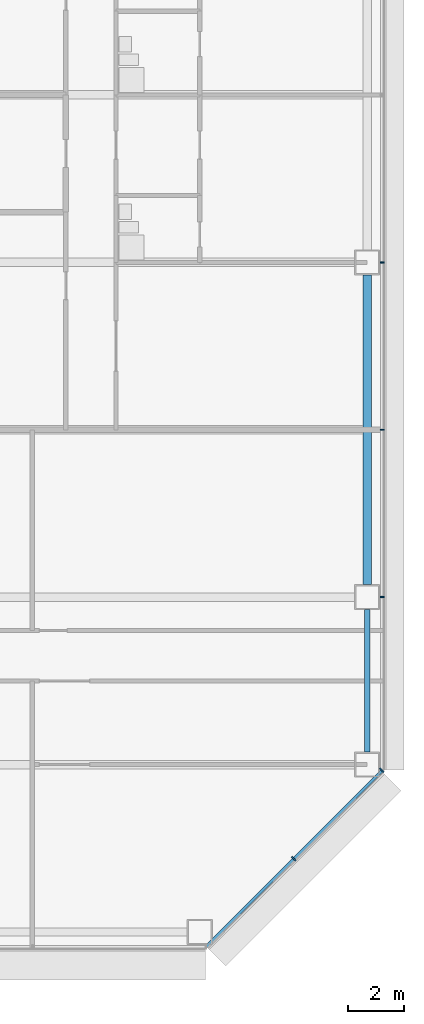
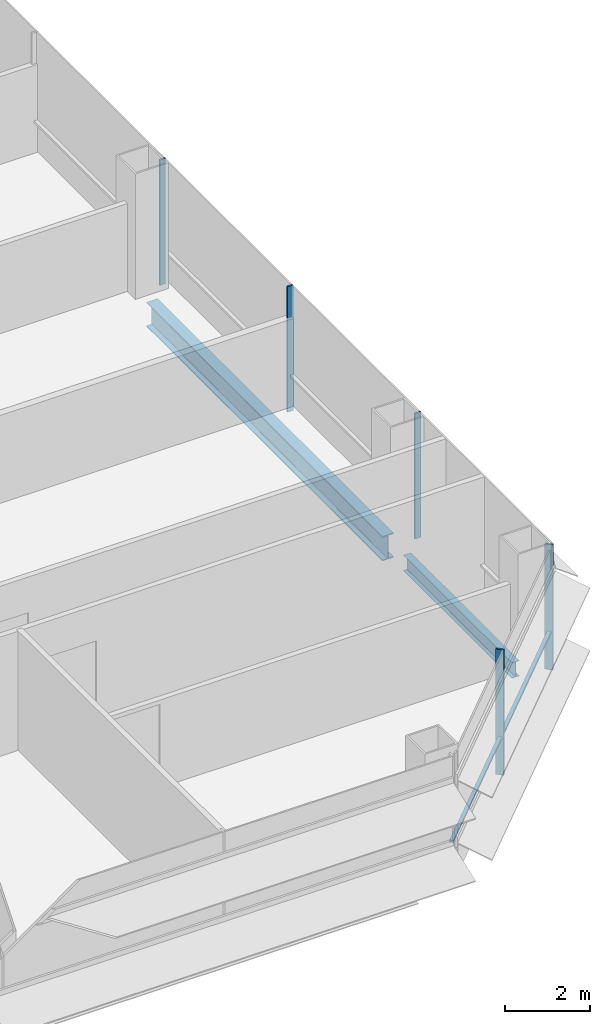
# One storey, part 16 of 26: 6 members, 2 beams, 2 elements without a shape of their own.
"""IFC4 building model written with IfcOpenShell, lengths in metres."""

import ifcopenshell
import ifcopenshell.guid

model = None  # the IFC model being written
_history = None  # IfcOwnerHistory: only IFC2X3 demands one
_inside = {}  # id of a spatial element -> (the spatial element, [elements in it])
_under = {}  # id of a project, library or spatial element -> (it, [spatial elements below it])
_declared = {}  # id of a project -> (the project, [libraries it declares])
_typed = {}  # id of a type object -> (the type object, [elements of that type])
_made_of = {}  # id of a material, layer set ... -> (it, [elements and type objects made of it])


def new_model(schema):
    """Start an empty IFC model of exactly this schema.

    Asked for "IFC4X3", IfcOpenShell would pick the latest addendum, in which some entities
    have other attributes; the version numbers below select the first issue.
    IFC2X3 requires an IfcOwnerHistory on every rooted entity: one is made here for all.
    """
    global model, _history
    if schema == "IFC4X3":
        model = ifcopenshell.file(schema_version=(4, 3, 0, 0))
    else:
        model = ifcopenshell.file(schema=schema)
    _inside.clear()
    _under.clear()
    _declared.clear()
    _typed.clear()
    _made_of.clear()
    _history = None
    if model.schema == "IFC2X3":
        org = make("IfcOrganization", Name="unknown")
        user = make(
            "IfcPersonAndOrganization",
            ThePerson=make("IfcPerson", FamilyName="unknown"),
            TheOrganization=org,
        )
        app = make(
            "IfcApplication",
            ApplicationDeveloper=org,
            Version="unknown",
            ApplicationFullName="unknown",
            ApplicationIdentifier="unknown",
        )
        _history = make(
            "IfcOwnerHistory",
            OwningUser=user,
            OwningApplication=app,
            ChangeAction="ADDED",
            CreationDate=0,
        )
    return model


def make(cls, **values):
    """One entity of the class cls with the attributes given. An attribute that is None is left unset."""
    return model.create_entity(
        cls, **{name: value for name, value in values.items() if value is not None}
    )


def rooted(cls, **values):
    """An entity with a GlobalId (a new one), such as an element, a storey or a relation."""
    return make(cls, GlobalId=ifcopenshell.guid.new(), OwnerHistory=_history, **values)


def si_unit(unit_type, name, prefix=None):
    """IfcSIUnit, for example si_unit("LENGTHUNIT", "METRE", prefix="MILLI")."""
    return make("IfcSIUnit", UnitType=unit_type, Prefix=prefix, Name=name)


def assignment(units):
    """IfcUnitAssignment: the units of a project."""
    return None if units is None else make("IfcUnitAssignment", Units=units)


def point(xyz):
    """IfcCartesianPoint."""
    return None if xyz is None else make("IfcCartesianPoint", Coordinates=xyz)


def direction(xyz):
    """IfcDirection."""
    return None if xyz is None else make("IfcDirection", DirectionRatios=xyz)


def frame(location, z_axis=None, x_axis=None):
    """IfcAxis2Placement3D, a coordinate frame: its origin and axes. An axis left out is left unset."""
    return make(
        "IfcAxis2Placement3D",
        Location=point(location),
        Axis=direction(z_axis),
        RefDirection=direction(x_axis),
    )


def frame_2d(location, x_axis=None):
    """IfcAxis2Placement2D, a coordinate frame in the plane: its origin and x axis."""
    return make(
        "IfcAxis2Placement2D", Location=point(location), RefDirection=direction(x_axis)
    )


def origin():
    """The frame at (0, 0, 0) with its axes left unset."""
    return frame((0.0, 0.0, 0.0))


def origin_2d():
    """The frame at (0, 0) in the plane with its x axis left unset."""
    return frame_2d((0.0, 0.0))


def place(relative_to, where):
    """IfcLocalPlacement: puts the frame where relative to a parent placement (None: the world)."""
    return make(
        "IfcLocalPlacement", PlacementRelTo=relative_to, RelativePlacement=where
    )


def context(
    kind, dimensions, precision=None, world=None, true_north=None, identifier=None
):
    """IfcGeometricRepresentationContext, for example the 3D "Model" context."""
    return make(
        "IfcGeometricRepresentationContext",
        ContextIdentifier=identifier,
        ContextType=kind,
        CoordinateSpaceDimension=dimensions,
        Precision=precision,
        WorldCoordinateSystem=world,
        TrueNorth=true_north,
    )


def subcontext(parent, identifier, kind, view, scale=None):
    """IfcGeometricRepresentationSubContext, for example "Body" below "Model"."""
    return make(
        "IfcGeometricRepresentationSubContext",
        ContextIdentifier=identifier,
        ContextType=kind,
        ParentContext=parent,
        TargetScale=scale,
        TargetView=view,
    )


def project(units=None, contexts=None):
    """IfcProject with its units and contexts."""
    return rooted(
        "IfcProject",
        Name="project",
        RepresentationContexts=contexts,
        UnitsInContext=assignment(units),
    )


def spatial(cls, under=None, at=None, **own):
    """A site, building, storey or space (cls), placed at a placement, below another one or the project."""
    s = rooted(cls, ObjectPlacement=at, **own)
    if under is not None:
        _under.setdefault(under.id(), (under, []))[1].append(s)
    return s


def profile(cls, at=None, kind="AREA", **sizes):
    """A parametric profile (cls). Its sizes go by their IFC names, for example OverallWidth=200.0."""
    return make(cls, ProfileType=kind, Position=at, **sizes)


def rectangle(**sizes):
    """IfcRectangleProfileDef."""
    return profile("IfcRectangleProfileDef", **sizes)


def i_section(**sizes):
    """IfcIShapeProfileDef."""
    return profile("IfcIShapeProfileDef", **sizes)


def extrude(swept, where, along, depth):
    """IfcExtrudedAreaSolid: the profile swept, set in the frame where, extruded along a direction by depth."""
    return make(
        "IfcExtrudedAreaSolid",
        SweptArea=swept,
        Position=where,
        ExtrudedDirection=direction(along),
        Depth=depth,
    )


def shape(context_of_items, identifier, shape_type, items):
    """IfcShapeRepresentation: the items that make up one representation, for example the "Body"."""
    return make(
        "IfcShapeRepresentation",
        ContextOfItems=context_of_items,
        RepresentationIdentifier=identifier,
        RepresentationType=shape_type,
        Items=items,
    )


def material(Name=None, Category=None):
    """IfcMaterial."""
    return make("IfcMaterial", Name=Name, Category=Category)


def material_profile(
    of_material, cross_section, Name=None, Category=None, Priority=None
):
    """IfcMaterialProfile: a cross section and its material."""
    return make(
        "IfcMaterialProfile",
        Name=Name,
        Material=of_material,
        Profile=cross_section,
        Priority=Priority,
        Category=Category,
    )


def profile_set(profiles, Name=None, composite=None):
    """IfcMaterialProfileSet."""
    return make(
        "IfcMaterialProfileSet",
        Name=Name,
        MaterialProfiles=profiles,
        CompositeProfile=composite,
    )


def made_of(thing, what):
    """Note that an element or type object is made of a material, layer set ...; save() writes the relation."""
    if what is not None:
        _made_of.setdefault(what.id(), (what, []))[1].append(thing)
    return thing


def type_object(cls, material=None, **own):
    """A type object (cls), such as IfcWallType, which elements share."""
    return made_of(rooted(cls, **own), material)


def element(
    cls,
    number,
    at=None,
    inside=None,
    cuts=None,
    type_object=None,
    material=None,
    context=None,
    identifier="Body",
    shape_type=None,
    held_by="IfcProductDefinitionShape",
    body=None,
    shapes=None,
    **own,
):
    """One element of the class cls, such as IfcWall. Its Tag is "e" and its number.

    at: its placement. inside: the storey or other place that contains it. cuts: it is an
    opening in that element (IfcRelVoidsElement). A single representation is given by context,
    identifier, shape_type and body (its items); several are given by shapes. held_by: the class
    of the entity that holds the representations. save() writes the other relations.
    """
    e = rooted(cls, Tag="e%d" % number, ObjectPlacement=at, **own)
    if body is not None:
        shapes = [shape(context, identifier, shape_type, body)]
    if shapes is not None:
        e.Representation = make(held_by, Representations=shapes)
    if inside is not None:
        _inside.setdefault(inside.id(), (inside, []))[1].append(e)
    if cuts is not None:
        rooted(
            "IfcRelVoidsElement", RelatingBuildingElement=cuts, RelatedOpeningElement=e
        )
    if type_object is not None:
        _typed.setdefault(type_object.id(), (type_object, []))[1].append(e)
    return made_of(e, material)


def aggregate(whole, parts):
    """IfcRelAggregates: a whole, such as a stair, and the parts it consists of."""
    return rooted("IfcRelAggregates", RelatingObject=whole, RelatedObjects=parts)


def save(model, path):
    """Write the relations noted so far, then the file.

    IfcRelAggregates (storeys below a building ...), IfcRelContainedInSpatialStructure (elements
    in a storey), IfcRelDefinesByType, IfcRelAssociatesMaterial and IfcRelDeclares: one each for
    every whole, place, type object, material and project.
    """
    for whole, parts in _under.values():
        aggregate(whole, parts)
    for where, things in _inside.values():
        rooted(
            "IfcRelContainedInSpatialStructure",
            RelatedElements=things,
            RelatingStructure=where,
        )
    for kind, things in _typed.values():
        rooted("IfcRelDefinesByType", RelatedObjects=things, RelatingType=kind)
    for what, things in _made_of.values():
        rooted("IfcRelAssociatesMaterial", RelatedObjects=things, RelatingMaterial=what)
    for by, libraries in _declared.values():
        rooted("IfcRelDeclares", RelatingContext=by, RelatedDefinitions=libraries)
    model.write(path)


model = new_model("IFC4")

# Units and contexts
model_context = context("Model", 3, precision=1e-05, world=origin(), true_north=direction((0.0, 1.0)))
body_context = subcontext(model_context, "Body", "Model", "MODEL_VIEW")
ifc_project = project(units=[si_unit("LENGTHUNIT", "METRE"), si_unit("AREAUNIT", "SQUARE_METRE"), si_unit("VOLUMEUNIT", "CUBIC_METRE"), si_unit("PLANEANGLEUNIT", "RADIAN"), si_unit("MASSUNIT", "GRAM", prefix="KILO")], contexts=[model_context])

# Site, building, storey
site_placement = place(None, origin())
site = spatial("IfcSite", under=ifc_project, at=site_placement, CompositionType="ELEMENT")
building_placement = place(site_placement, origin())
building = spatial("IfcBuilding", under=site, at=building_placement, Name="Sorahane Residences", CompositionType="ELEMENT")
storey_placement = place(building_placement, frame((0.0, 0.0, 67.800048828125)))
storey = spatial("IfcBuildingStorey", under=building, at=storey_placement, Name="L13", CompositionType="ELEMENT", Elevation=67.800048828125)

# Curtain wall, members
ifc_material_1 = material(Name="Dark low-e glass and black anodised aluminium", Category="aluminium")
curtain_wall_type_1 = type_object("IfcCurtainWallType", Name="Curtain wall CW-1 Typical unitised wall", PredefinedType="NOTDEFINED", material=ifc_material_1)
curtain_wall_1_placement = place(storey_placement, origin())
curtain_wall_1 = element("IfcCurtainWall", 1, at=curtain_wall_1_placement, inside=storey, type_object=curtain_wall_type_1, Name="CW-1 curtain wall L13 E1", PredefinedType="NOTDEFINED")
ifc_material_2 = material(Name="Black anodised aluminium", Category="aluminium")
ifc_material_profile_1 = material_profile(ifc_material_2, rectangle(XDim=0.159912109375, YDim=0.050048828125, at=origin_2d()), Name="Curtain wall mullion CW-1 black anodised aluminium 50x160")
ifc_profile_set_1 = profile_set([ifc_material_profile_1], Name="Black anodised aluminium")
member_type_1 = type_object("IfcMemberType", Name="Curtain wall mullion CW-1 black anodised aluminium 50x160", PredefinedType="MULLION", material=ifc_profile_set_1)
member_1_placement = place(storey_placement, frame((66.5400390625, 12.0, -0.179931640625), z_axis=(0.0, 0.0, 1.0), x_axis=(1.0, 0.0, 0.0)))
member_1 = element("IfcMember", 2, at=member_1_placement, type_object=member_type_1, Name="CW-1 mullion L13 E1.2", PredefinedType="MULLION", context=body_context, shape_type="SweptSolid", body=[
    extrude(rectangle(XDim=0.159912109375, YDim=0.050048828125, at=origin_2d()), origin(), (0.0, 0.0, 1.0), 3.599853515625),
])
member_2_placement = place(storey_placement, frame((66.5400390625, 18.0, -0.179931640625), z_axis=(0.0, 0.0, 1.0), x_axis=(1.0, 0.0, 0.0)))
member_2 = element("IfcMember", 3, at=member_2_placement, type_object=member_type_1, Name="CW-1 mullion L13 E1.3", PredefinedType="MULLION", context=body_context, shape_type="SweptSolid", body=[
    extrude(rectangle(XDim=0.159912109375, YDim=0.050048828125, at=origin_2d()), origin(), (0.0, 0.0, 1.0), 3.599853515625),
])
member_3_placement = place(storey_placement, frame((66.5400390625, 24.0, -0.179931640625), z_axis=(0.0, 0.0, 1.0), x_axis=(1.0, 0.0, 0.0)))
member_3 = element("IfcMember", 4, at=member_3_placement, type_object=member_type_1, Name="CW-1 mullion L13 E1.4", PredefinedType="MULLION", context=body_context, shape_type="SweptSolid", body=[
    extrude(rectangle(XDim=0.159912109375, YDim=0.050048828125, at=origin_2d()), origin(), (0.0, 0.0, 1.0), 3.599853515625),
])
aggregate(curtain_wall_1, [member_1, member_2, member_3])

ifc_material_3 = material(Name="Dark low-e glass and black anodised aluminium", Category="aluminium")
curtain_wall_type_2 = type_object("IfcCurtainWallType", Name="Curtain wall CW-2 Chamfer unitised wall", PredefinedType="NOTDEFINED", material=ifc_material_3)
curtain_wall_2_placement = place(storey_placement, origin())
curtain_wall_2 = element("IfcCurtainWall", 5, at=curtain_wall_2_placement, inside=storey, type_object=curtain_wall_type_2, Name="CW-2 curtain wall L13 SE1", PredefinedType="NOTDEFINED")
ifc_material_4 = material(Name="Black anodised aluminium", Category="aluminium")
ifc_material_profile_2 = material_profile(ifc_material_4, rectangle(XDim=0.199951171875, YDim=0.050048828125, at=origin_2d()), Name="Curtain wall mullion CW-2 black anodised aluminium 50x200")
ifc_profile_set_2 = profile_set([ifc_material_profile_2], Name="Black anodised aluminium")
member_type_2 = type_object("IfcMemberType", Name="Curtain wall mullion CW-2 black anodised aluminium 50x200", PredefinedType="MULLION", material=ifc_profile_set_2)
member_4_placement = place(storey_placement, frame((63.36767578125, 2.63232421875, -0.179931640625), z_axis=(0.0, 0.0, 1.0), x_axis=(0.707106781187, -0.707106781187, 0.0)))
member_4 = element("IfcMember", 6, at=member_4_placement, type_object=member_type_2, Name="CW-2 mullion L13 SE1.2", PredefinedType="MULLION", context=body_context, shape_type="SweptSolid", body=[
    extrude(rectangle(XDim=0.199951171875, YDim=0.050048828125, at=origin_2d()), origin(), (0.0, 0.0, 1.0), 3.599853515625),
])
member_5_placement = place(storey_placement, frame((66.525634765625, 5.790283203125, -0.179931640625), z_axis=(0.0, 0.0, 1.0), x_axis=(0.707106781187, -0.707106781187, 0.0)))
member_5 = element("IfcMember", 7, at=member_5_placement, type_object=member_type_2, Name="CW-2 mullion L13 SE1.3", PredefinedType="MULLION", context=body_context, shape_type="SweptSolid", body=[
    extrude(rectangle(XDim=0.199951171875, YDim=0.050048828125, at=origin_2d()), origin(), (0.0, 0.0, 1.0), 3.599853515625),
])
ifc_material_5 = material(Name="Black anodised aluminium", Category="aluminium")
ifc_material_profile_3 = material_profile(ifc_material_5, rectangle(XDim=0.10009765625, YDim=0.06005859375, at=origin_2d()), Name="Curtain wall transom CW-2 black anodised aluminium 60x100")
ifc_profile_set_3 = profile_set([ifc_material_profile_3], Name="Black anodised aluminium")
member_type_3 = type_object("IfcMemberType", Name="Curtain wall transom CW-2 black anodised aluminium 60x100", PredefinedType="USERDEFINED", material=ifc_profile_set_3)
member_6_placement = place(storey_placement, frame((60.234375, -0.51513671875, 0.89990234375), z_axis=(0.707106781187, 0.707106781187, 0.0), x_axis=(-0.707106781187, 0.707106781187, 0.0)))
member_6 = element("IfcMember", 8, at=member_6_placement, type_object=member_type_3, Name="CW-2 transom L13 SE1", ObjectType="TRANSOM", PredefinedType="USERDEFINED", context=body_context, shape_type="SweptSolid", body=[
    extrude(rectangle(XDim=0.10009765625, YDim=0.06005859375, at=origin_2d()), origin(), (0.0, 0.0, 1.0), 8.88232421875),
])
aggregate(curtain_wall_2, [member_4, member_5, member_6])

# Beams
ifc_material_6 = material(Name="Steel Q355B", Category="steel")
ifc_material_profile_4 = material_profile(ifc_material_6, i_section(OverallWidth=0.199951171875, OverallDepth=0.449951171875, WebThickness=0.009033203125, FlangeThickness=0.013916015625, FilletRadius=0.02001953125, at=origin_2d()), Name="HN 450x200x9x14")
ifc_profile_set_4 = profile_set([ifc_material_profile_4], Name="Steel Q355B")
beam_type_1 = type_object("IfcBeamType", Name="Steel floor beam HN 450x200x9x14 Q355B", PredefinedType="BEAM", material=ifc_profile_set_4)
beam_1_placement = place(storey_placement, frame((66.0, 6.449951171875, -0.405029296875), z_axis=(0.0, 1.0, 0.0), x_axis=(-1.0, 0.0, 0.0)))
element("IfcBeam", 9, at=beam_1_placement, inside=storey, type_object=beam_type_1, Name="Beam L13 057", PredefinedType="BEAM", context=body_context, shape_type="SweptSolid", body=[
    extrude(i_section(OverallWidth=0.199951171875, OverallDepth=0.449951171875, WebThickness=0.009033203125, FlangeThickness=0.013916015625, FilletRadius=0.02001953125, at=origin_2d()), origin(), (0.0, 0.0, 1.0), 5.10009765625),
])
ifc_material_7 = material(Name="Steel Q355B", Category="steel")
ifc_material_profile_5 = material_profile(ifc_material_7, i_section(OverallWidth=0.300048828125, OverallDepth=0.699951171875, WebThickness=0.012939453125, FlangeThickness=0.02392578125, FilletRadius=0.028076171875, at=origin_2d()), Name="HN 700x300x13x24")
ifc_profile_set_5 = profile_set([ifc_material_profile_5], Name="Steel Q355B")
beam_type_2 = type_object("IfcBeamType", Name="Steel floor beam HN 700x300x13x24 Q355B", PredefinedType="BEAM", material=ifc_profile_set_5)
beam_2_placement = place(storey_placement, frame((66.0, 12.449951171875, -0.530029296875), z_axis=(0.0, 1.0, 0.0), x_axis=(-1.0, 0.0, 0.0)))
element("IfcBeam", 10, at=beam_2_placement, inside=storey, type_object=beam_type_2, Name="Beam L13 058", PredefinedType="BEAM", context=body_context, shape_type="SweptSolid", body=[
    extrude(i_section(OverallWidth=0.300048828125, OverallDepth=0.699951171875, WebThickness=0.012939453125, FlangeThickness=0.02392578125, FilletRadius=0.028076171875, at=origin_2d()), origin(), (0.0, 0.0, 1.0), 11.10009765625),
])

save(model, "model.ifc")
